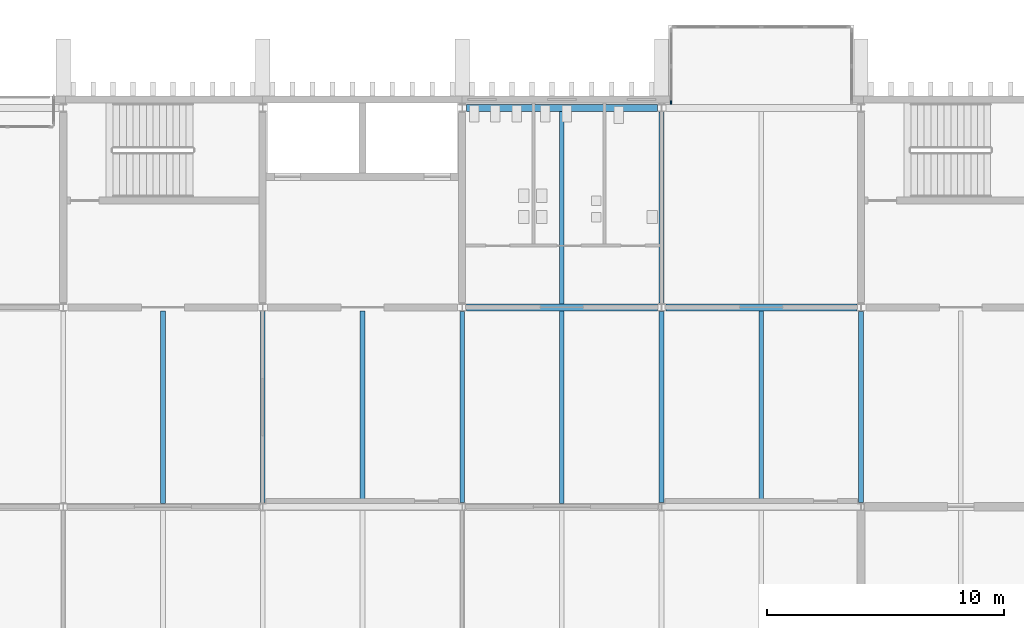
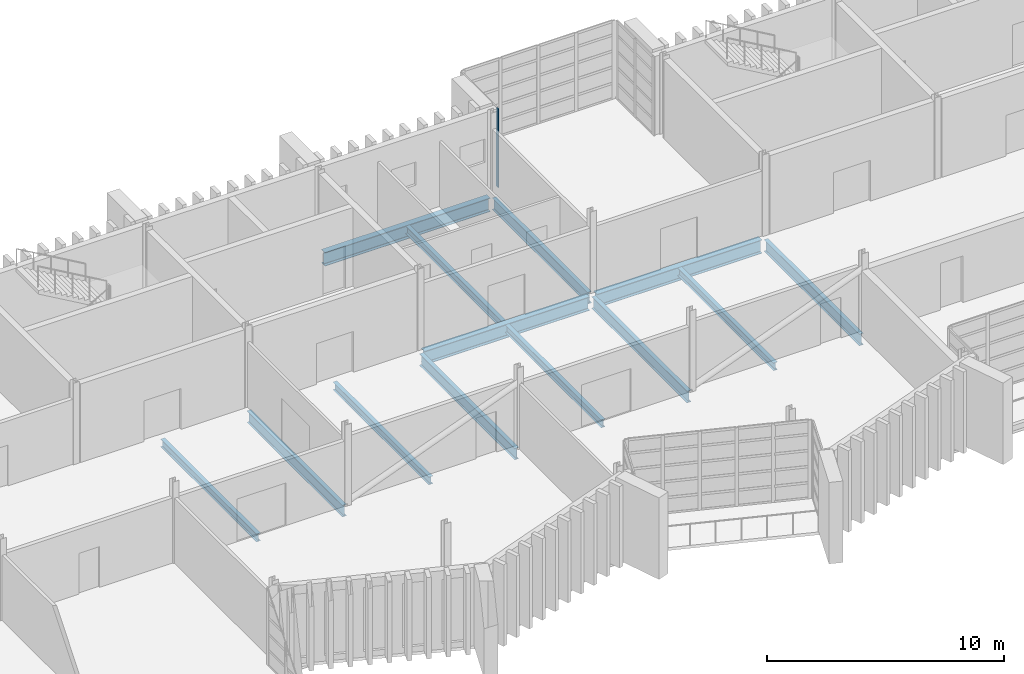
# One storey, part 28 of 100: 13 beams, 1 member, 1 element without a shape of its own.
"""IFC4 building model written with IfcOpenShell, lengths in metres."""

from ifc_helpers import new_model, si_unit, direction, frame, origin, origin_2d, place, context, subcontext, project, spatial, rectangle, i_section, extrude, material, layer, layer_set, material_profile, profile_set, type_object, element, aggregate, save


model = new_model("IFC4")

# Units and contexts
model_context = context("Model", 3, precision=1e-05, world=origin(), true_north=direction((0.0, 1.0)))
body_context = subcontext(model_context, "Body", "Model", "MODEL_VIEW")
ifc_project = project(units=[si_unit("LENGTHUNIT", "METRE"), si_unit("AREAUNIT", "SQUARE_METRE"), si_unit("VOLUMEUNIT", "CUBIC_METRE"), si_unit("PLANEANGLEUNIT", "RADIAN"), si_unit("MASSUNIT", "GRAM", prefix="KILO")], contexts=[model_context])

# Site, building, storey
site_placement = place(None, origin())
site = spatial("IfcSite", under=ifc_project, at=site_placement, CompositionType="ELEMENT")
building_placement = place(site_placement, origin())
building = spatial("IfcBuilding", under=site, at=building_placement, Name="Cresset Court Congress Hotel", CompositionType="ELEMENT")
storey_placement = place(building_placement, frame((0.0, 0.0, 10.199951171875)))
storey = spatial("IfcBuildingStorey", under=building, at=storey_placement, Name="L02", CompositionType="ELEMENT", Elevation=10.199951171875)

# Curtain wall, member
ifc_material_1 = material(Name="Aluminium frame with double glazing", Category="aluminium")
ifc_layer = layer(ifc_material_1, 0.199951171875)
ifc_layer_set = layer_set([ifc_layer], Name="Glazed box curtain wall 1680 module")
curtain_wall_type = type_object("IfcCurtainWallType", Name="Glazed box curtain wall 1680 module", PredefinedType="NOTDEFINED", material=ifc_layer_set)
curtain_wall_placement = place(storey_placement, origin())
curtain_wall = element("IfcCurtainWall", 1, at=curtain_wall_placement, inside=storey, type_object=curtain_wall_type, Name="Glazed box N0232 side", PredefinedType="NOTDEFINED")
ifc_material_2 = material(Name="Aluminium", Category="aluminium")
ifc_material_profile_1 = material_profile(ifc_material_2, rectangle(XDim=0.06005859375, YDim=0.159912109375, at=origin_2d()), Name="Box mullion 60x160")
ifc_profile_set_1 = profile_set([ifc_material_profile_1], Name="Aluminium")
member_type = type_object("IfcMemberType", Name="Box mullion 60x160", PredefinedType="MULLION", material=ifc_profile_set_1)
member_placement = place(storey_placement, frame((126.39990234375, 25.429931640625, 0.0), z_axis=(0.0, 0.0, 1.0), x_axis=(-1.0, 0.0, 0.0)))
member = element("IfcMember", 2, at=member_placement, type_object=member_type, Name="B-X1 mullion 1", PredefinedType="MULLION", context=body_context, shape_type="SweptSolid", body=[
    extrude(rectangle(XDim=0.06005859375, YDim=0.159912109375, at=origin_2d()), origin(), (0.0, 0.0, 1.0), 4.050048828125),
])
aggregate(curtain_wall, [member])

# Beams
ifc_material_3 = material(Name="Structural steel Q355B", Category="steel")
ifc_material_profile_2 = material_profile(ifc_material_3, i_section(OverallWidth=0.199951171875, OverallDepth=0.60009765625, WebThickness=0.010986328125, FlangeThickness=0.01708984375, FilletRadius=0.012939453125, at=origin_2d()), Name="HN600x200x11x17")
ifc_profile_set_2 = profile_set([ifc_material_profile_2], Name="Structural steel Q355B")
beam_type_1 = type_object("IfcBeamType", Name="Steel beam HN600x200x11x17", PredefinedType="BEAM", material=ifc_profile_set_2)
for number, where, z_axis, x_axis, name in (
    (3, (109.199951171875, 8.574951171875, -0.449951171875), (0.0, 1.0, 0.0), (-1.0, 0.0, 0.0), "B.by.L02.14B"),
    (4, (117.60009765625, 8.574951171875, -0.449951171875), (0.0, 1.0, 0.0), (-1.0, 0.0, 0.0), "B.by.L02.15B"),
    (5, (126.0, 8.574951171875, -0.449951171875), (0.0, 1.0, 0.0), (-1.0, 0.0, 0.0), "B.by.L02.16B"),
):
    element("IfcBeam", number, at=place(storey_placement, frame(where, z_axis=z_axis, x_axis=x_axis)), inside=storey, type_object=beam_type_1, Name=name, PredefinedType="BEAM", context=body_context, shape_type="SweptSolid", body=[
        extrude(i_section(OverallWidth=0.199951171875, OverallDepth=0.60009765625, WebThickness=0.010986328125, FlangeThickness=0.01708984375, FilletRadius=0.012939453125, at=origin_2d()), origin(), (0.0, 0.0, 1.0), 8.050048828125),
    ])
beam_1_placement = place(storey_placement, frame((126.0, 16.97509765625, -0.449951171875), z_axis=(0.0, 1.0, 0.0), x_axis=(-1.0, 0.0, 0.0)))
element("IfcBeam", 6, at=beam_1_placement, inside=storey, type_object=beam_type_1, Name="B.by.L02.16C", PredefinedType="BEAM", context=body_context, shape_type="SweptSolid", body=[
    extrude(i_section(OverallWidth=0.199951171875, OverallDepth=0.60009765625, WebThickness=0.010986328125, FlangeThickness=0.01708984375, FilletRadius=0.012939453125, at=origin_2d()), origin(), (0.0, 0.0, 1.0), 8.0498046875),
])
beam_2_placement = place(storey_placement, frame((134.39990234375, 8.574951171875, -0.449951171875), z_axis=(0.0, 1.0, 0.0), x_axis=(-1.0, 0.0, 0.0)))
element("IfcBeam", 7, at=beam_2_placement, inside=storey, type_object=beam_type_1, Name="B.by.L02.17B", PredefinedType="BEAM", context=body_context, shape_type="SweptSolid", body=[
    extrude(i_section(OverallWidth=0.199951171875, OverallDepth=0.60009765625, WebThickness=0.010986328125, FlangeThickness=0.01708984375, FilletRadius=0.012939453125, at=origin_2d()), origin(), (0.0, 0.0, 1.0), 8.050048828125),
])
ifc_material_4 = material(Name="Structural steel Q355B", Category="steel")
ifc_material_profile_3 = material_profile(ifc_material_4, i_section(OverallWidth=0.300048828125, OverallDepth=0.699951171875, WebThickness=0.012939453125, FlangeThickness=0.02392578125, FilletRadius=0.01806640625, at=origin_2d()), Name="HN700x300x13x24")
ifc_profile_set_3 = profile_set([ifc_material_profile_3], Name="Structural steel Q355B")
beam_type_2 = type_object("IfcBeamType", Name="Steel beam HN700x300x13x24", PredefinedType="BEAM", material=ifc_profile_set_3)
for number, where, z_axis, x_axis, name in (
    (8, (117.77490234375, 16.800048828125, -0.5), (1.0, 0.0, 0.0), (0.0, 1.0, 0.0), "B.bx.L02.C15"),
    (9, (126.175048828125, 16.800048828125, -0.5), (1.0, 0.0, 0.0), (0.0, 1.0, 0.0), "B.bx.L02.C16"),
    (10, (117.77490234375, 25.199951171875, -0.5), (1.0, 0.0, 0.0), (0.0, 1.0, 0.0), "B.bx.L02.D15"),
):
    element("IfcBeam", number, at=place(storey_placement, frame(where, z_axis=z_axis, x_axis=x_axis)), inside=storey, type_object=beam_type_2, Name=name, PredefinedType="BEAM", context=body_context, shape_type="SweptSolid", body=[
        extrude(i_section(OverallWidth=0.300048828125, OverallDepth=0.699951171875, WebThickness=0.012939453125, FlangeThickness=0.02392578125, FilletRadius=0.01806640625, at=origin_2d()), origin(), (0.0, 0.0, 1.0), 8.050048828125),
    ])
ifc_material_5 = material(Name="Structural steel Q355B", Category="steel")
ifc_material_profile_4 = material_profile(ifc_material_5, i_section(OverallWidth=0.199951171875, OverallDepth=0.39990234375, WebThickness=0.008056640625, FlangeThickness=0.012939453125, FilletRadius=0.01611328125, at=origin_2d()), Name="HN400x200x8x13")
ifc_profile_set_4 = profile_set([ifc_material_profile_4], Name="Structural steel Q355B")
beam_type_3 = type_object("IfcBeamType", Name="Steel joist HN400x200x8x13", PredefinedType="JOIST", material=ifc_profile_set_4)
for number, where, z_axis, x_axis, name in (
    (11, (105.0, 8.550048828125, -0.349853515625), (0.0, 1.0, 0.0), (-1.0, 0.0, 0.0), "B.bj.L02.13B"),
    (12, (113.39990234375, 8.550048828125, -0.349853515625), (0.0, 1.0, 0.0), (-1.0, 0.0, 0.0), "B.bj.L02.14B"),
    (13, (121.800048828125, 8.550048828125, -0.349853515625), (0.0, 1.0, 0.0), (-1.0, 0.0, 0.0), "B.bj.L02.15B"),
):
    element("IfcBeam", number, at=place(storey_placement, frame(where, z_axis=z_axis, x_axis=x_axis)), inside=storey, type_object=beam_type_3, Name=name, PredefinedType="JOIST", context=body_context, shape_type="SweptSolid", body=[
        extrude(i_section(OverallWidth=0.199951171875, OverallDepth=0.39990234375, WebThickness=0.008056640625, FlangeThickness=0.012939453125, FilletRadius=0.01611328125, at=origin_2d()), origin(), (0.0, 0.0, 1.0), 8.099853515625),
    ])
beam_3_placement = place(storey_placement, frame((121.800048828125, 16.949951171875, -0.349853515625), z_axis=(0.0, 1.0, 0.0), x_axis=(-1.0, 0.0, 0.0)))
element("IfcBeam", 14, at=beam_3_placement, inside=storey, type_object=beam_type_3, Name="B.bj.L02.15C", PredefinedType="JOIST", context=body_context, shape_type="SweptSolid", body=[
    extrude(i_section(OverallWidth=0.199951171875, OverallDepth=0.39990234375, WebThickness=0.008056640625, FlangeThickness=0.012939453125, FilletRadius=0.01611328125, at=origin_2d()), origin(), (0.0, 0.0, 1.0), 8.10009765625),
])
beam_4_placement = place(storey_placement, frame((130.199951171875, 8.550048828125, -0.349853515625), z_axis=(0.0, 1.0, 0.0), x_axis=(-1.0, 0.0, 0.0)))
element("IfcBeam", 15, at=beam_4_placement, inside=storey, type_object=beam_type_3, Name="B.bj.L02.16B", PredefinedType="JOIST", context=body_context, shape_type="SweptSolid", body=[
    extrude(i_section(OverallWidth=0.199951171875, OverallDepth=0.39990234375, WebThickness=0.008056640625, FlangeThickness=0.012939453125, FilletRadius=0.01611328125, at=origin_2d()), origin(), (0.0, 0.0, 1.0), 8.099853515625),
])

save(model, "model.ifc")
